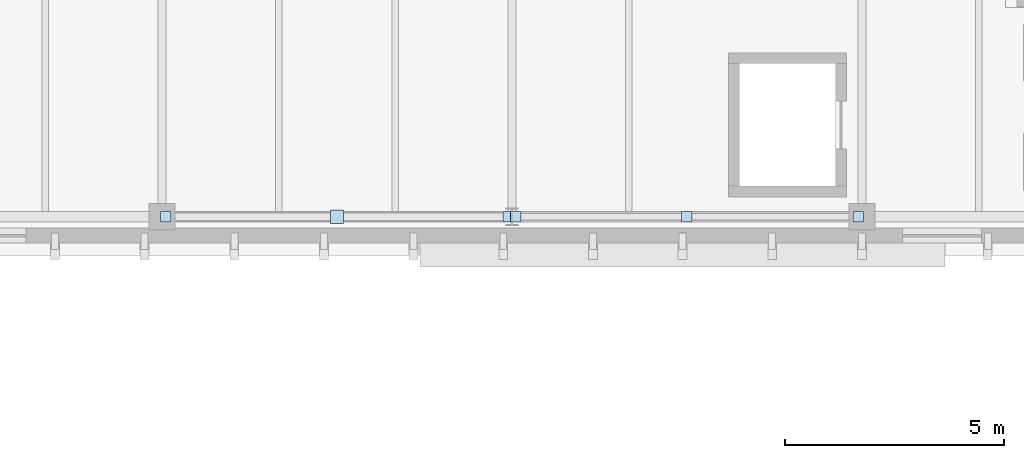
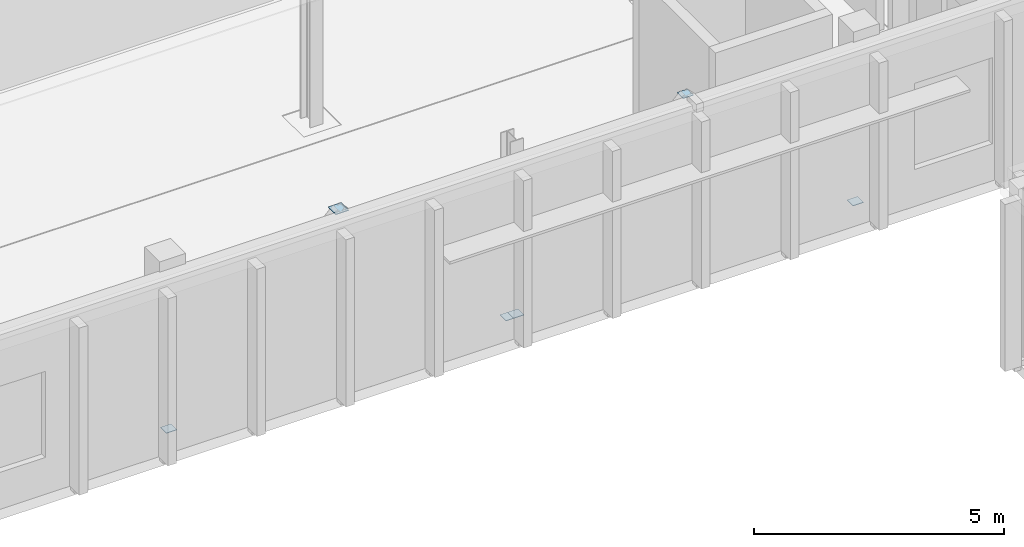
# One storey, part 63 of 100: 6 plates.
"""IFC4 building model written with IfcOpenShell, lengths in metres."""

from ifc_helpers import new_model, si_unit, direction, frame, origin, origin_2d, place, context, subcontext, project, spatial, rectangle, extrude, material, layer, layer_set, type_object, element, save


model = new_model("IFC4")

# Units and contexts
model_context = context("Model", 3, precision=1e-05, world=origin(), true_north=direction((0.0, 1.0)))
body_context = subcontext(model_context, "Body", "Model", "MODEL_VIEW")
ifc_project = project(units=[si_unit("LENGTHUNIT", "METRE"), si_unit("AREAUNIT", "SQUARE_METRE"), si_unit("VOLUMEUNIT", "CUBIC_METRE"), si_unit("PLANEANGLEUNIT", "RADIAN"), si_unit("MASSUNIT", "GRAM", prefix="KILO")], contexts=[model_context])

# Site, building, storey
site_placement = place(None, origin())
site = spatial("IfcSite", under=ifc_project, at=site_placement, CompositionType="ELEMENT")
building_placement = place(site_placement, origin())
building = spatial("IfcBuilding", under=site, at=building_placement, Name="Cymarion Research Institute", CompositionType="ELEMENT")
storey_placement = place(building_placement, frame((0.0, 0.0, 9.300048828125)))
storey = spatial("IfcBuildingStorey", under=building, at=storey_placement, Name="L02", CompositionType="ELEMENT", Elevation=9.300048828125)

# Plates
ifc_material = material(Name="Steel S355", Category="steel")
ifc_layer_1 = layer(ifc_material, 0.01806640625)
ifc_layer_set_1 = layer_set([ifc_layer_1], Name="Steel S355")
plate_type_1 = type_object("IfcPlateType", Name="STEEL NODE GUSSET PLATE CP01 18MM", PredefinedType="USERDEFINED", material=ifc_layer_set_1)
plate_placement = place(storey_placement, frame((18.60009765625, 47.5, 4.100830078125), z_axis=(0.0, 0.0, 1.0), x_axis=(1.0, 0.0, 0.0)))
element("IfcPlate", 1, at=plate_placement, inside=storey, type_object=plate_type_1, Name="L02 V4 chevron apex gusset plate", ObjectType="GUSSET PLATE", PredefinedType="USERDEFINED", context=body_context, shape_type="SweptSolid", body=[
    extrude(rectangle(XDim=0.300048828125, YDim=0.300048828125, at=origin_2d()), origin(), (0.0, 0.0, 1.0), 0.01806640625),
])
ifc_layer_2 = layer(ifc_material, 0.011962890625)
ifc_layer_set_2 = layer_set([ifc_layer_2], Name="Steel S355")
plate_type_2 = type_object("IfcPlateType", Name="STEEL NODE GUSSET PLATE CP02 12MM", PredefinedType="USERDEFINED", material=ifc_layer_set_2)
for number, where, z_axis, x_axis, name in (
    (2, (14.68505859375, 47.5, 0.11376953125), (0.0, 0.0, 1.0), (1.0, 0.0, 0.0), "L02 V4 chevron base gusset plate #1"),
    (3, (22.514892578125, 47.5, 0.11376953125), (0.0, 0.0, 1.0), (1.0, 0.0, 0.0), "L02 V4 chevron base gusset plate #2"),
    (4, (26.60009765625, 47.5, 4.10400390625), (0.0, 0.0, 1.0), (1.0, 0.0, 0.0), "L02 V4 chevron apex gusset plate"),
    (5, (22.68505859375, 47.5, 0.11376953125), (0.0, 0.0, 1.0), (1.0, 0.0, 0.0), "L02 V4 chevron base gusset plate #1"),
    (6, (30.514892578125, 47.5, 0.11376953125), (0.0, 0.0, 1.0), (1.0, 0.0, 0.0), "L02 V4 chevron base gusset plate #2"),
):
    element("IfcPlate", number, at=place(storey_placement, frame(where, z_axis=z_axis, x_axis=x_axis)), inside=storey, type_object=plate_type_2, Name=name, ObjectType="GUSSET PLATE", PredefinedType="USERDEFINED", context=body_context, shape_type="SweptSolid", body=[
        extrude(rectangle(XDim=0.239990234375, YDim=0.239990234375, at=origin_2d()), origin(), (0.0, 0.0, 1.0), 0.011962890625),
    ])

save(model, "model.ifc")
